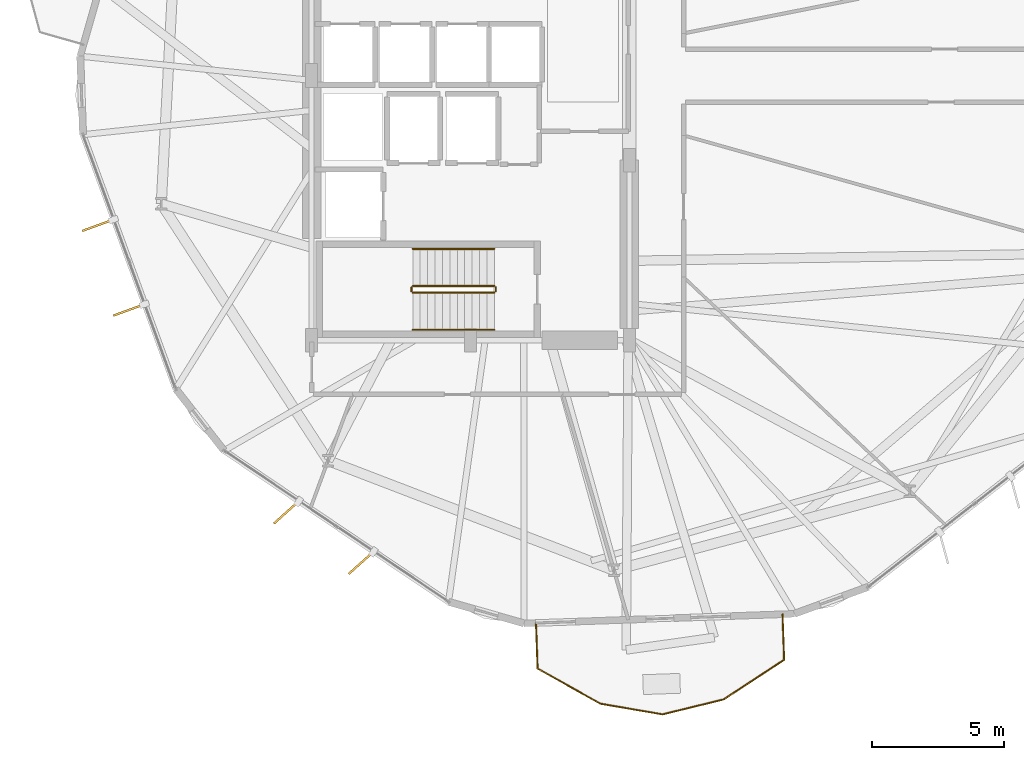
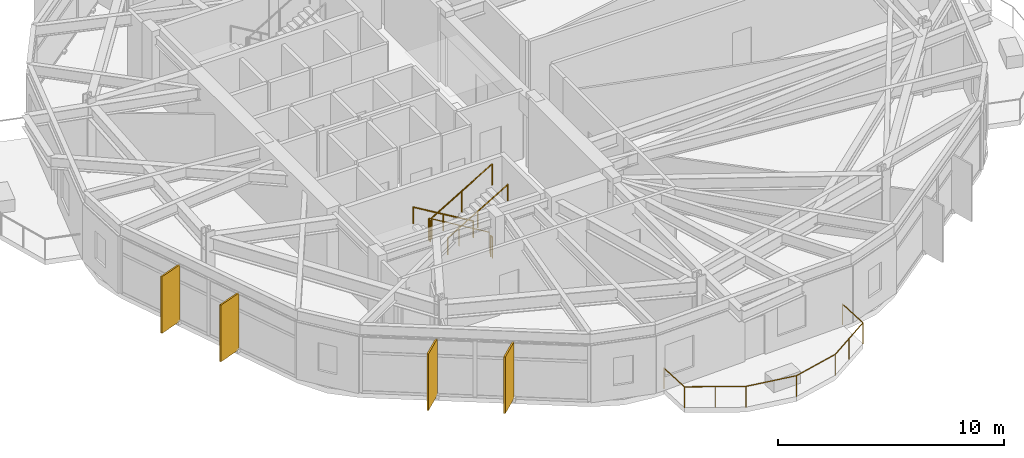
# One storey, part 19 of 21: 7 railings, 4 shading devices.
"""IFC4 building model written with IfcOpenShell, lengths in metres."""

from ifc_helpers import new_model, si_unit, direction, frame, origin, origin_2d, place, context, subcontext, project, spatial, rectangle, circle, extrude, material, layer, layer_set, type_object, element, save


model = new_model("IFC4")

# Units and contexts
model_context = context("Model", 3, precision=1e-05, world=origin(), true_north=direction((0.0, 1.0)))
body_context = subcontext(model_context, "Body", "Model", "MODEL_VIEW")
ifc_project = project(units=[si_unit("LENGTHUNIT", "METRE"), si_unit("AREAUNIT", "SQUARE_METRE"), si_unit("VOLUMEUNIT", "CUBIC_METRE"), si_unit("PLANEANGLEUNIT", "RADIAN"), si_unit("MASSUNIT", "GRAM", prefix="KILO")], contexts=[model_context])

# Site, building, storey
site_placement = place(None, origin())
site = spatial("IfcSite", under=ifc_project, at=site_placement, CompositionType="ELEMENT")
building_placement = place(site_placement, origin())
building = spatial("IfcBuilding", under=site, at=building_placement, Name="Soratama Intermodal Tower", CompositionType="ELEMENT")
storey_placement = place(building_placement, frame((0.0, 0.0, 34.60009765625)))
storey = spatial("IfcBuildingStorey", under=building, at=storey_placement, Name="L07", CompositionType="ELEMENT", Elevation=34.60009765625)

# Railings
ifc_material_1 = material(Name="Laminated glass and stainless steel balustrade", Category="steel")
railing_type_1 = type_object("IfcRailingType", Name="RL-BAL-1150", PredefinedType="BALUSTRADE", material=ifc_material_1)
railing_1_placement = place(storey_placement, frame((50.389404296875, 4.6474609375, 0.0)))
element("IfcRailing", 1, at=railing_1_placement, inside=storey, type_object=railing_type_1, Name="L07 Balcony Balustrade 4", PredefinedType="BALUSTRADE", context=body_context, shape_type="SweptSolid", body=[
    extrude(circle(Radius=0.02392578125, at=origin_2d()), frame((0.0, 0.0, 1.1259765625), z_axis=(0.035625715932, -0.999365202698, 0.0), x_axis=(0.999365202698, 0.035625715932, 0.0)), (0.0, 0.0, 1.0), 1.719970703125),
    extrude(circle(Radius=0.02392578125, at=origin_2d()), frame((0.061279296875, -1.718994140625, 1.1259765625), z_axis=(-0.83576417487, -0.549088557523, 0.0), x_axis=(0.549088557523, -0.83576417487, 0.0)), (0.0, 0.0, 1.0), 2.726806640625),
    extrude(circle(Radius=0.02392578125, at=origin_2d()), frame((-2.2177734375, -3.21630859375, 1.1259765625), z_axis=(-0.971183081212, -0.238334686456, 0.0), x_axis=(0.238334686456, -0.971183081212, 0.0)), (0.0, 0.0, 1.0), 2.380615234375),
    extrude(circle(Radius=0.02392578125, at=origin_2d()), frame((-4.52978515625, -3.78369140625, 1.1259765625), z_axis=(-0.985666626506, 0.168704775841, 0.0), x_axis=(-0.168704775841, -0.985666626506, 0.0)), (0.0, 0.0, 1.0), 2.380615234375),
    extrude(circle(Radius=0.02392578125, at=origin_2d()), frame((-6.876220703125, -3.382080078125, 1.1259765625), z_axis=(-0.872709005567, 0.488240710717, 0.0), x_axis=(-0.488240710717, -0.872709005567, 0.0)), (0.0, 0.0, 1.0), 2.726806640625),
    extrude(circle(Radius=0.02392578125, at=origin_2d()), frame((-9.255859375, -2.05078125, 1.1259765625), z_axis=(-0.035630769979, 0.999365022517, 0.0), x_axis=(-0.999365022517, -0.035630769979, 0.0)), (0.0, 0.0, 1.0), 1.7197265625),
    extrude(circle(Radius=0.02099609375, at=origin_2d()), origin(), (0.0, 0.0, 1.0), 1.101806640625),
    extrude(circle(Radius=0.02099609375, at=origin_2d()), frame((0.061279296875, -1.718994140625, 0.0)), (0.0, 0.0, 1.0), 1.101806640625),
    extrude(circle(Radius=0.02099609375, at=origin_2d()), frame((-1.078125, -2.4677734375, 0.0)), (0.0, 0.0, 1.0), 1.101806640625),
    extrude(circle(Radius=0.02099609375, at=origin_2d()), frame((-2.2177734375, -3.21630859375, 0.0)), (0.0, 0.0, 1.0), 1.101806640625),
    extrude(circle(Radius=0.02099609375, at=origin_2d()), frame((-4.52978515625, -3.78369140625, 0.0)), (0.0, 0.0, 1.0), 1.101806640625),
    extrude(circle(Radius=0.02099609375, at=origin_2d()), frame((-6.876220703125, -3.382080078125, 0.0)), (0.0, 0.0, 1.0), 1.101806640625),
    extrude(circle(Radius=0.02099609375, at=origin_2d()), frame((-8.06591796875, -2.71630859375, 0.0)), (0.0, 0.0, 1.0), 1.101806640625),
    extrude(circle(Radius=0.02099609375, at=origin_2d()), frame((-9.255859375, -2.05078125, 0.0)), (0.0, 0.0, 1.0), 1.101806640625),
    extrude(circle(Radius=0.02099609375, at=origin_2d()), frame((-9.317138671875, -0.33203125, 0.0)), (0.0, 0.0, 1.0), 1.101806640625),
])
ifc_material_2 = material(Name="Painted steel stair guardrail", Category="steel")
railing_type_2 = type_object("IfcRailingType", Name="RL-STAIR-GUARD", PredefinedType="GUARDRAIL", material=ifc_material_2)
railing_2_placement = place(storey_placement, frame((39.5, 17.050048828125, 0.16650390625)))
element("IfcRailing", 2, at=railing_2_placement, inside=storey, type_object=railing_type_2, Name="L07 ST-1 stair guard 1", PredefinedType="GUARDRAIL", context=body_context, shape_type="SweptSolid", body=[
    extrude(circle(Radius=0.02392578125, at=origin_2d()), frame((0.0, 0.0, 1.1259765625), z_axis=(-0.85927862911, 0.0, 0.511507807912), x_axis=(0.0, -1.0, 0.0)), (0.0, 0.0, 1.0), 3.58447265625),
    extrude(circle(Radius=0.02099609375, at=origin_2d()), origin(), (0.0, 0.0, 1.0), 1.101806640625),
    extrude(circle(Radius=0.02099609375, at=origin_2d()), frame((-1.5400390625, 0.0, 0.916748046875)), (0.0, 0.0, 1.0), 1.101806640625),
    extrude(circle(Radius=0.02099609375, at=origin_2d()), frame((-3.080078125, 0.0, 1.83349609375)), (0.0, 0.0, 1.0), 1.101806640625),
])
railing_3_placement = place(storey_placement, frame((36.3701171875, 17.0, 2.0)))
element("IfcRailing", 3, at=railing_3_placement, inside=storey, type_object=railing_type_2, Name="L07 ST-1 stair guard 2", PredefinedType="GUARDRAIL", context=body_context, shape_type="SweptSolid", body=[
    extrude(circle(Radius=0.02392578125, at=origin_2d()), frame((0.0, 0.0, 1.1259765625), z_axis=(0.0, -1.0, 0.0), x_axis=(1.0, 0.0, 0.0)), (0.0, 0.0, 1.0), 0.14990234375),
    extrude(circle(Radius=0.02099609375, at=origin_2d()), origin(), (0.0, 0.0, 1.0), 1.101806640625),
    extrude(circle(Radius=0.02099609375, at=origin_2d()), frame((0.0, -0.14990234375, 0.0)), (0.0, 0.0, 1.0), 1.101806640625),
])
railing_4_placement = place(storey_placement, frame((36.419921875, 16.800048828125, 2.16650390625)))
element("IfcRailing", 4, at=railing_4_placement, inside=storey, type_object=railing_type_2, Name="L07 ST-1 stair guard 3", PredefinedType="GUARDRAIL", context=body_context, shape_type="SweptSolid", body=[
    extrude(circle(Radius=0.02392578125, at=origin_2d()), frame((0.0, 0.0, 1.1259765625), z_axis=(0.85927862911, 0.0, 0.511507807912), x_axis=(0.0, 1.0, 0.0)), (0.0, 0.0, 1.0), 3.58447265625),
    extrude(circle(Radius=0.02099609375, at=origin_2d()), origin(), (0.0, 0.0, 1.0), 1.101806640625),
    extrude(circle(Radius=0.02099609375, at=origin_2d()), frame((1.5400390625, 0.0, 0.916748046875)), (0.0, 0.0, 1.0), 1.101806640625),
    extrude(circle(Radius=0.02099609375, at=origin_2d()), frame((3.080078125, 0.0, 1.83349609375)), (0.0, 0.0, 1.0), 1.101806640625),
])
railing_5_placement = place(storey_placement, frame((39.550048828125, 17.0, 0.0)))
element("IfcRailing", 5, at=railing_5_placement, inside=storey, type_object=railing_type_2, Name="L07 ST-1 stair guard 4", PredefinedType="GUARDRAIL", context=body_context, shape_type="SweptSolid", body=[
    extrude(circle(Radius=0.02392578125, at=origin_2d()), frame((0.0, 0.0, 1.1259765625), z_axis=(0.0, -1.0, 0.0), x_axis=(1.0, 0.0, 0.0)), (0.0, 0.0, 1.0), 0.14990234375),
    extrude(circle(Radius=0.02099609375, at=origin_2d()), origin(), (0.0, 0.0, 1.0), 1.101806640625),
    extrude(circle(Radius=0.02099609375, at=origin_2d()), frame((0.0, -0.14990234375, 0.0)), (0.0, 0.0, 1.0), 1.101806640625),
])
ifc_material_3 = material(Name="Brushed stainless steel handrail", Category="steel")
railing_type_3 = type_object("IfcRailingType", Name="RL-STAIR-HAND", PredefinedType="HANDRAIL", material=ifc_material_3)
railing_6_placement = place(storey_placement, frame((39.5, 18.449951171875, 0.16650390625)))
element("IfcRailing", 6, at=railing_6_placement, inside=storey, type_object=railing_type_3, Name="L07 ST-1 stair handrail 1", PredefinedType="HANDRAIL", context=body_context, shape_type="SweptSolid", body=[
    extrude(circle(Radius=0.02392578125, at=origin_2d()), frame((0.0, 0.0, 0.8759765625), z_axis=(-0.85927862911, 0.0, 0.511507807912), x_axis=(0.0, -1.0, 0.0)), (0.0, 0.0, 1.0), 3.58447265625),
    extrude(circle(Radius=0.02099609375, at=origin_2d()), origin(), (0.0, 0.0, 1.0), 0.851806640625),
    extrude(circle(Radius=0.02099609375, at=origin_2d()), frame((-1.5400390625, 0.0, 0.916748046875)), (0.0, 0.0, 1.0), 0.851806640625),
    extrude(circle(Radius=0.02099609375, at=origin_2d()), frame((-3.080078125, 0.0, 1.83349609375)), (0.0, 0.0, 1.0), 0.851806640625),
])
railing_7_placement = place(storey_placement, frame((36.419921875, 15.39990234375, 2.16650390625)))
element("IfcRailing", 7, at=railing_7_placement, inside=storey, type_object=railing_type_3, Name="L07 ST-1 stair handrail 2", PredefinedType="HANDRAIL", context=body_context, shape_type="SweptSolid", body=[
    extrude(circle(Radius=0.02392578125, at=origin_2d()), frame((0.0, 0.0, 0.8759765625), z_axis=(0.85927862911, 0.0, 0.511507807912), x_axis=(0.0, 1.0, 0.0)), (0.0, 0.0, 1.0), 3.58447265625),
    extrude(circle(Radius=0.02099609375, at=origin_2d()), origin(), (0.0, 0.0, 1.0), 0.851806640625),
    extrude(circle(Radius=0.02099609375, at=origin_2d()), frame((1.5400390625, 0.0, 0.916748046875)), (0.0, 0.0, 1.0), 0.851806640625),
    extrude(circle(Radius=0.02099609375, at=origin_2d()), frame((3.080078125, 0.0, 1.83349609375)), (0.0, 0.0, 1.0), 0.851806640625),
])

# Shading devices
ifc_material_4 = material(Name="Champagne anodised aluminium solar fin", Category="aluminium")
ifc_layer = layer(ifc_material_4, 0.080078125)
ifc_layer_set = layer_set([ifc_layer], Name="Champagne anodised aluminium solar fin")
shading_device_type = type_object("IfcShadingDeviceType", Name="SH-FIN-1250", PredefinedType="USERDEFINED", material=ifc_layer_set)
for number, where, z_axis, x_axis, name in (
    (8, (24.521728515625, 19.343994140625, 0.019775390625), (0.0, 0.0, 1.0), (-0.939453616704, -0.342676089132, 0.0), "L07 Solar Fin F06-1"),
    (9, (25.689453125, 16.142578125, 0.019775390625), (0.0, 0.0, 1.0), (-0.939453616704, -0.342676089132, 0.0), "L07 Solar Fin F06-2"),
    (10, (31.6376953125, 8.4912109375, 0.019775390625), (0.0, 0.0, 1.0), (-0.74396176791, -0.668222184522, 0.0), "L07 Solar Fin F07-1"),
    (11, (34.464111328125, 6.587890625, 0.019775390625), (0.0, 0.0, 1.0), (-0.74396176791, -0.668222184522, 0.0), "L07 Solar Fin F07-2"),
):
    element("IfcShadingDevice", number, at=place(storey_placement, frame(where, z_axis=z_axis, x_axis=x_axis)), inside=storey, type_object=shading_device_type, Name=name, ObjectType="FIN", PredefinedType="USERDEFINED", context=body_context, shape_type="SweptSolid", body=[
        extrude(rectangle(XDim=1.25, YDim=0.080078125, at=origin_2d()), origin(), (0.0, 0.0, 1.0), 3.05908203125),
    ])

save(model, "model.ifc")
